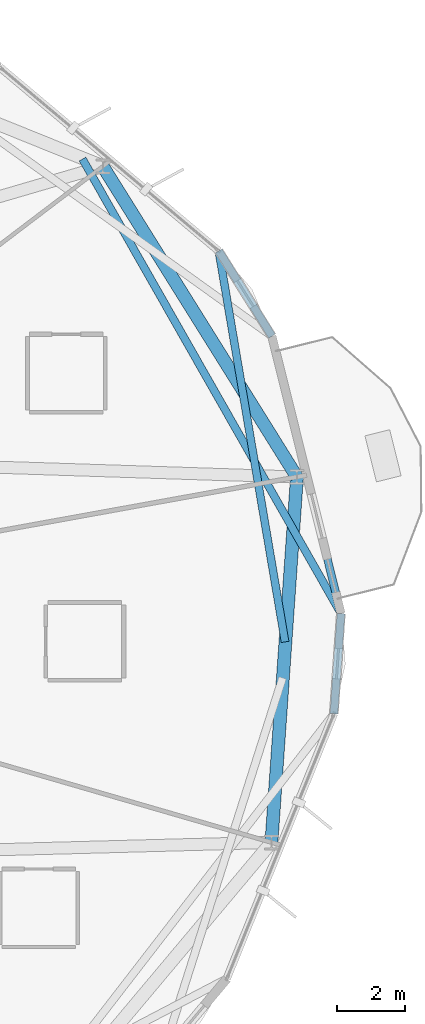
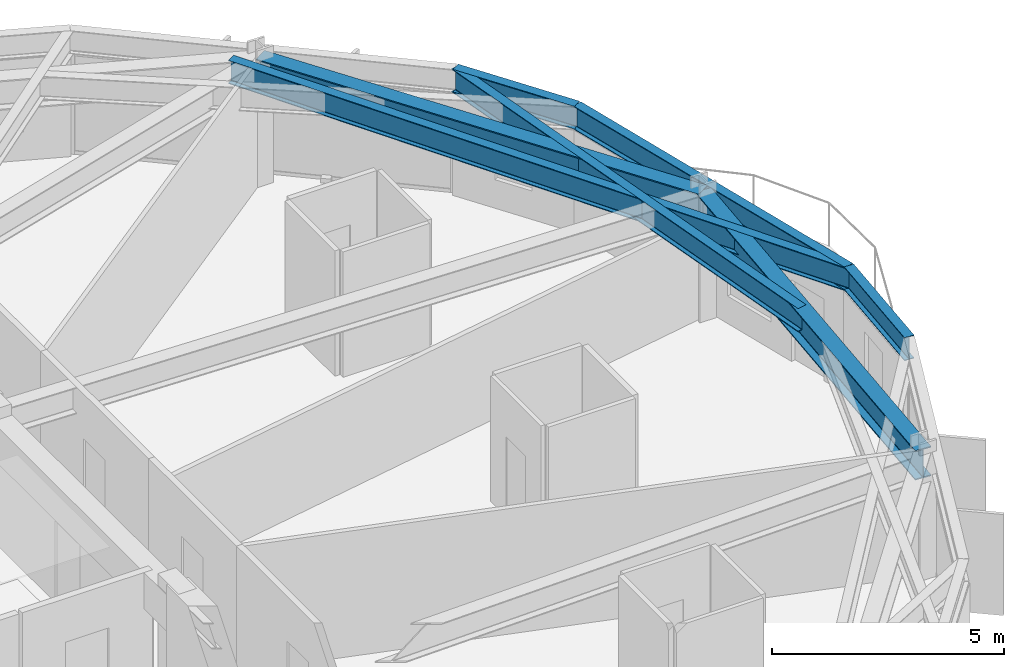
# One storey, part 10 of 22: 7 beams.
"""IFC4 building model written with IfcOpenShell, lengths in metres."""

from ifc_helpers import new_model, si_unit, direction, frame, origin, origin_2d, place, context, subcontext, project, spatial, i_section, extrude, material, material_profile, profile_set, type_object, element, save


model = new_model("IFC4")

# Units and contexts
model_context = context("Model", 3, precision=1e-05, world=origin(), true_north=direction((0.0, 1.0)))
body_context = subcontext(model_context, "Body", "Model", "MODEL_VIEW")
ifc_project = project(units=[si_unit("LENGTHUNIT", "METRE"), si_unit("AREAUNIT", "SQUARE_METRE"), si_unit("VOLUMEUNIT", "CUBIC_METRE"), si_unit("PLANEANGLEUNIT", "RADIAN"), si_unit("MASSUNIT", "GRAM", prefix="KILO")], contexts=[model_context])

# Site, building, storey
site_placement = place(None, origin())
site = spatial("IfcSite", under=ifc_project, at=site_placement, CompositionType="ELEMENT")
building_placement = place(site_placement, origin())
building = spatial("IfcBuilding", under=site, at=building_placement, Name="Soratama Intermodal Tower", CompositionType="ELEMENT")
storey_placement = place(building_placement, frame((0.0, 0.0, 157.0)))
storey = spatial("IfcBuildingStorey", under=building, at=storey_placement, Name="L38", CompositionType="ELEMENT", Elevation=157.0)

# Beams
ifc_material_1 = material(Name="Structural steel ASTM A992 Grade 50", Category="steel")
ifc_material_profile_1 = material_profile(ifc_material_1, i_section(OverallWidth=0.382080078125, OverallDepth=0.779052734375, WebThickness=0.01806640625, FlangeThickness=0.030029296875, FilletRadius=0.01806640625, at=origin_2d()), Name="W30X191")
ifc_profile_set_1 = profile_set([ifc_material_profile_1], Name="Structural steel ASTM A992 Grade 50")
beam_type_1 = type_object("IfcBeamType", Name="BM-RING-W30X191", PredefinedType="BEAM", material=ifc_profile_set_1)
beam_1_placement = place(storey_placement, frame((61.97998046875, 29.23388671875, 2.910400390625), z_axis=(-0.529891394359, 0.84806551055, 0.0), x_axis=(-0.84806551055, -0.529891394359, 0.0)))
element("IfcBeam", 1, at=beam_1_placement, inside=storey, type_object=beam_type_1, Name="BM-L38-RING-01", PredefinedType="BEAM", context=body_context, shape_type="SweptSolid", body=[
    extrude(i_section(OverallWidth=0.382080078125, OverallDepth=0.779052734375, WebThickness=0.01806640625, FlangeThickness=0.030029296875, FilletRadius=0.01806640625, at=origin_2d()), origin(), (0.0, 0.0, 1.0), 10.8154296875),
])
beam_2_placement = place(storey_placement, frame((61.22607421875, 18.444091796875, 2.910400390625), z_axis=(0.069702217409, 0.99756784275, 0.0), x_axis=(-0.99756784275, 0.069702217409, 0.0)))
element("IfcBeam", 2, at=beam_2_placement, inside=storey, type_object=beam_type_1, Name="BM-L38-RING-10", PredefinedType="BEAM", context=body_context, shape_type="SweptSolid", body=[
    extrude(i_section(OverallWidth=0.382080078125, OverallDepth=0.779052734375, WebThickness=0.01806640625, FlangeThickness=0.030029296875, FilletRadius=0.01806640625, at=origin_2d()), origin(), (0.0, 0.0, 1.0), 10.816162109375),
])
ifc_material_2 = material(Name="Structural steel ASTM A992 Grade 50", Category="steel")
ifc_material_profile_2 = material_profile(ifc_material_2, i_section(OverallWidth=0.22900390625, OverallDepth=0.612060546875, WebThickness=0.011962890625, FlangeThickness=0.01953125, FilletRadius=0.012939453125, at=origin_2d()), Name="W24X84")
ifc_profile_set_2 = profile_set([ifc_material_profile_2], Name="Structural steel ASTM A992 Grade 50")
beam_type_2 = type_object("IfcBeamType", Name="BM-SPN-W24X84", PredefinedType="SPANDREL", material=ifc_profile_set_2)
beam_3_placement = place(storey_placement, frame((63.072998046875, 22.242919921875, 2.993896484375), z_axis=(0.070123978367, 0.997538283806, 0.0), x_axis=(-0.997538283806, 0.070123978367, 0.0)))
element("IfcBeam", 3, at=beam_3_placement, inside=storey, type_object=beam_type_2, Name="BS-L38-CRN09", PredefinedType="SPANDREL", context=body_context, shape_type="SweptSolid", body=[
    extrude(i_section(OverallWidth=0.22900390625, OverallDepth=0.612060546875, WebThickness=0.011962890625, FlangeThickness=0.01953125, FilletRadius=0.012939453125, at=origin_2d()), origin(), (0.0, 0.0, 1.0), 2.96630859375),
])
beam_4_placement = place(storey_placement, frame((63.281005859375, 25.201904296875, 2.993896484375), z_axis=(-0.241562339429, 0.970385302944, 0.0), x_axis=(-0.970385302944, -0.241562339429, 0.0)))
element("IfcBeam", 4, at=beam_4_placement, inside=storey, type_object=beam_type_2, Name="BS-L38-F10", PredefinedType="SPANDREL", context=body_context, shape_type="SweptSolid", body=[
    extrude(i_section(OverallWidth=0.22900390625, OverallDepth=0.612060546875, WebThickness=0.011962890625, FlangeThickness=0.01953125, FilletRadius=0.012939453125, at=origin_2d()), origin(), (0.0, 0.0, 1.0), 8.441162109375),
])
beam_5_placement = place(storey_placement, frame((61.241943359375, 33.39306640625, 2.993896484375), z_axis=(-0.529665959131, 0.84820632616, 0.0), x_axis=(-0.84820632616, -0.529665959131, 0.0)))
element("IfcBeam", 5, at=beam_5_placement, inside=storey, type_object=beam_type_2, Name="BS-L38-CRN10", PredefinedType="SPANDREL", context=body_context, shape_type="SweptSolid", body=[
    extrude(i_section(OverallWidth=0.22900390625, OverallDepth=0.612060546875, WebThickness=0.011962890625, FlangeThickness=0.01953125, FilletRadius=0.012939453125, at=origin_2d()), origin(), (0.0, 0.0, 1.0), 2.966064453125),
])
ifc_material_3 = material(Name="Structural steel ASTM A992 Grade 50", Category="steel")
ifc_material_profile_3 = material_profile(ifc_material_3, i_section(OverallWidth=0.22900390625, OverallDepth=0.612060546875, WebThickness=0.011962890625, FlangeThickness=0.01953125, FilletRadius=0.012939453125, at=origin_2d()), Name="W24X84")
ifc_profile_set_3 = profile_set([ifc_material_profile_3], Name="Structural steel ASTM A992 Grade 50")
beam_type_3 = type_object("IfcBeamType", Name="BM-TIE-W24X84", PredefinedType="BEAM", material=ifc_profile_set_3)
beam_6_placement = place(storey_placement, frame((61.6298828125, 24.364990234375, 2.993896484375), z_axis=(-0.167306101791, 0.985904999634, 0.0), x_axis=(-0.985904999634, -0.167306101791, 0.0)))
element("IfcBeam", 6, at=beam_6_placement, inside=storey, type_object=beam_type_3, Name="BM-L38-TIE0-01", PredefinedType="BEAM", context=body_context, shape_type="SweptSolid", body=[
    extrude(i_section(OverallWidth=0.22900390625, OverallDepth=0.612060546875, WebThickness=0.011962890625, FlangeThickness=0.01953125, FilletRadius=0.012939453125, at=origin_2d()), origin(), (0.0, 0.0, 1.0), 11.708984375),
])
beam_7_placement = place(storey_placement, frame((55.64697265625, 38.6220703125, 2.993896484375), z_axis=(0.494447012626, -0.86920777246, 0.0), x_axis=(0.86920777246, 0.494447012626, 0.0)))
element("IfcBeam", 7, at=beam_7_placement, inside=storey, type_object=beam_type_3, Name="BM-L38-TIE0-10", PredefinedType="BEAM", context=body_context, shape_type="SweptSolid", body=[
    extrude(i_section(OverallWidth=0.22900390625, OverallDepth=0.612060546875, WebThickness=0.011962890625, FlangeThickness=0.01953125, FilletRadius=0.012939453125, at=origin_2d()), origin(), (0.0, 0.0, 1.0), 15.439453125),
])

save(model, "model.ifc")
